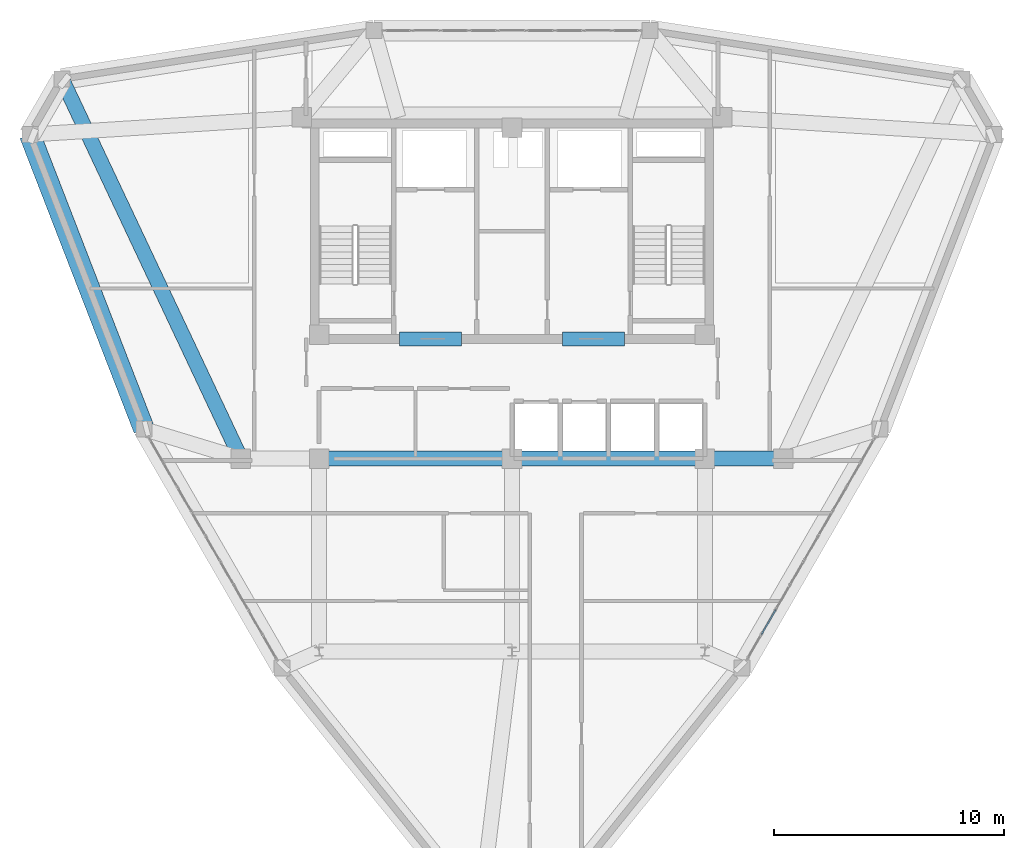
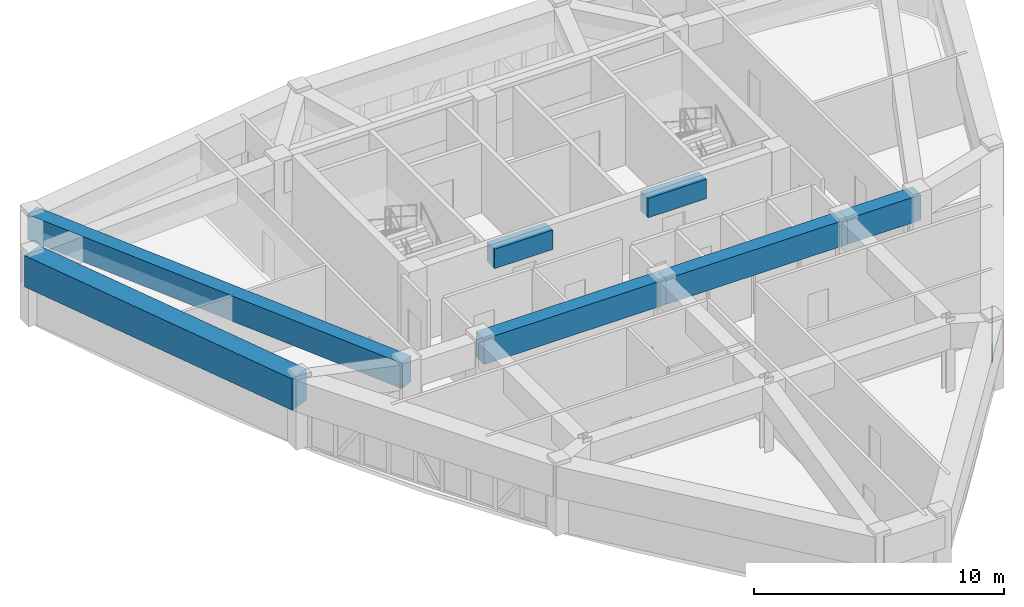
# One storey, part 6 of 15: 7 beams, 3 members, 1 element without a shape of its own.
"""IFC4 building model written with IfcOpenShell, lengths in metres."""

import ifcopenshell
import ifcopenshell.guid

model = None  # the IFC model being written
_history = None  # IfcOwnerHistory: only IFC2X3 demands one
_inside = {}  # id of a spatial element -> (the spatial element, [elements in it])
_under = {}  # id of a project, library or spatial element -> (it, [spatial elements below it])
_declared = {}  # id of a project -> (the project, [libraries it declares])
_typed = {}  # id of a type object -> (the type object, [elements of that type])
_made_of = {}  # id of a material, layer set ... -> (it, [elements and type objects made of it])


def new_model(schema):
    """Start an empty IFC model of exactly this schema.

    Asked for "IFC4X3", IfcOpenShell would pick the latest addendum, in which some entities
    have other attributes; the version numbers below select the first issue.
    IFC2X3 requires an IfcOwnerHistory on every rooted entity: one is made here for all.
    """
    global model, _history
    if schema == "IFC4X3":
        model = ifcopenshell.file(schema_version=(4, 3, 0, 0))
    else:
        model = ifcopenshell.file(schema=schema)
    _inside.clear()
    _under.clear()
    _declared.clear()
    _typed.clear()
    _made_of.clear()
    _history = None
    if model.schema == "IFC2X3":
        org = make("IfcOrganization", Name="unknown")
        user = make(
            "IfcPersonAndOrganization",
            ThePerson=make("IfcPerson", FamilyName="unknown"),
            TheOrganization=org,
        )
        app = make(
            "IfcApplication",
            ApplicationDeveloper=org,
            Version="unknown",
            ApplicationFullName="unknown",
            ApplicationIdentifier="unknown",
        )
        _history = make(
            "IfcOwnerHistory",
            OwningUser=user,
            OwningApplication=app,
            ChangeAction="ADDED",
            CreationDate=0,
        )
    return model


def make(cls, **values):
    """One entity of the class cls with the attributes given. An attribute that is None is left unset."""
    return model.create_entity(
        cls, **{name: value for name, value in values.items() if value is not None}
    )


def rooted(cls, **values):
    """An entity with a GlobalId (a new one), such as an element, a storey or a relation."""
    return make(cls, GlobalId=ifcopenshell.guid.new(), OwnerHistory=_history, **values)


def si_unit(unit_type, name, prefix=None):
    """IfcSIUnit, for example si_unit("LENGTHUNIT", "METRE", prefix="MILLI")."""
    return make("IfcSIUnit", UnitType=unit_type, Prefix=prefix, Name=name)


def derived_unit(unit_type, elements):
    """IfcDerivedUnit: a product of units, each with its exponent."""
    return make(
        "IfcDerivedUnit",
        Elements=[
            make("IfcDerivedUnitElement", Unit=unit, Exponent=power)
            for unit, power in elements
        ],
        UnitType=unit_type,
    )


def assignment(units):
    """IfcUnitAssignment: the units of a project."""
    return None if units is None else make("IfcUnitAssignment", Units=units)


def point(xyz):
    """IfcCartesianPoint."""
    return None if xyz is None else make("IfcCartesianPoint", Coordinates=xyz)


def direction(xyz):
    """IfcDirection."""
    return None if xyz is None else make("IfcDirection", DirectionRatios=xyz)


def frame(location, z_axis=None, x_axis=None):
    """IfcAxis2Placement3D, a coordinate frame: its origin and axes. An axis left out is left unset."""
    return make(
        "IfcAxis2Placement3D",
        Location=point(location),
        Axis=direction(z_axis),
        RefDirection=direction(x_axis),
    )


def frame_2d(location, x_axis=None):
    """IfcAxis2Placement2D, a coordinate frame in the plane: its origin and x axis."""
    return make(
        "IfcAxis2Placement2D", Location=point(location), RefDirection=direction(x_axis)
    )


def origin():
    """The frame at (0, 0, 0) with its axes left unset."""
    return frame((0.0, 0.0, 0.0))


def origin_2d():
    """The frame at (0, 0) in the plane with its x axis left unset."""
    return frame_2d((0.0, 0.0))


def place(relative_to, where):
    """IfcLocalPlacement: puts the frame where relative to a parent placement (None: the world)."""
    return make(
        "IfcLocalPlacement", PlacementRelTo=relative_to, RelativePlacement=where
    )


def context(
    kind, dimensions, precision=None, world=None, true_north=None, identifier=None
):
    """IfcGeometricRepresentationContext, for example the 3D "Model" context."""
    return make(
        "IfcGeometricRepresentationContext",
        ContextIdentifier=identifier,
        ContextType=kind,
        CoordinateSpaceDimension=dimensions,
        Precision=precision,
        WorldCoordinateSystem=world,
        TrueNorth=true_north,
    )


def subcontext(parent, identifier, kind, view, scale=None):
    """IfcGeometricRepresentationSubContext, for example "Body" below "Model"."""
    return make(
        "IfcGeometricRepresentationSubContext",
        ContextIdentifier=identifier,
        ContextType=kind,
        ParentContext=parent,
        TargetScale=scale,
        TargetView=view,
    )


def project(units=None, contexts=None):
    """IfcProject with its units and contexts."""
    return rooted(
        "IfcProject",
        Name="project",
        RepresentationContexts=contexts,
        UnitsInContext=assignment(units),
    )


def spatial(cls, under=None, at=None, **own):
    """A site, building, storey or space (cls), placed at a placement, below another one or the project."""
    s = rooted(cls, ObjectPlacement=at, **own)
    if under is not None:
        _under.setdefault(under.id(), (under, []))[1].append(s)
    return s


def profile(cls, at=None, kind="AREA", **sizes):
    """A parametric profile (cls). Its sizes go by their IFC names, for example OverallWidth=200.0."""
    return make(cls, ProfileType=kind, Position=at, **sizes)


def rectangle(**sizes):
    """IfcRectangleProfileDef."""
    return profile("IfcRectangleProfileDef", **sizes)


def hollow_rectangle(**sizes):
    """IfcRectangleHollowProfileDef."""
    return profile("IfcRectangleHollowProfileDef", **sizes)


def extrude(swept, where, along, depth):
    """IfcExtrudedAreaSolid: the profile swept, set in the frame where, extruded along a direction by depth."""
    return make(
        "IfcExtrudedAreaSolid",
        SweptArea=swept,
        Position=where,
        ExtrudedDirection=direction(along),
        Depth=depth,
    )


def shape(context_of_items, identifier, shape_type, items):
    """IfcShapeRepresentation: the items that make up one representation, for example the "Body"."""
    return make(
        "IfcShapeRepresentation",
        ContextOfItems=context_of_items,
        RepresentationIdentifier=identifier,
        RepresentationType=shape_type,
        Items=items,
    )


def source(mapping_origin, context_of_items, identifier, shape_type, items):
    """IfcRepresentationMap: a shape defined once, which mapped items show again and again."""
    return make(
        "IfcRepresentationMap",
        MappingOrigin=mapping_origin,
        MappedRepresentation=shape(context_of_items, identifier, shape_type, items),
    )


def transform(
    local_origin,
    x_axis=None,
    y_axis=None,
    z_axis=None,
    scale=None,
    scale2=None,
    scale3=None,
    uniform=True,
):
    """IfcCartesianTransformationOperator3D, or its non-uniform kind. x_axis, y_axis, z_axis: its Axis1, 2, 3."""
    if uniform:
        return make(
            "IfcCartesianTransformationOperator3D",
            Axis1=direction(x_axis),
            Axis2=direction(y_axis),
            LocalOrigin=point(local_origin),
            Scale=scale,
            Axis3=direction(z_axis),
        )
    return make(
        "IfcCartesianTransformationOperator3DnonUniform",
        Axis1=direction(x_axis),
        Axis2=direction(y_axis),
        LocalOrigin=point(local_origin),
        Scale=scale,
        Axis3=direction(z_axis),
        Scale2=scale2,
        Scale3=scale3,
    )


def mapped(mapping_source, mapping_target):
    """IfcMappedItem: shows the shape of a source again, moved by a transform."""
    return make(
        "IfcMappedItem", MappingSource=mapping_source, MappingTarget=mapping_target
    )


def material(Name=None, Category=None):
    """IfcMaterial."""
    return make("IfcMaterial", Name=Name, Category=Category)


def layer(
    of_material, thickness, ventilated=None, Name=None, Category=None, Priority=None
):
    """IfcMaterialLayer: one layer of a wall or slab, of a material (None: an air gap)."""
    return make(
        "IfcMaterialLayer",
        Material=of_material,
        LayerThickness=thickness,
        IsVentilated=ventilated,
        Name=Name,
        Category=Category,
        Priority=Priority,
    )


def layer_set(layers, Name=None):
    """IfcMaterialLayerSet."""
    return make("IfcMaterialLayerSet", MaterialLayers=layers, LayerSetName=Name)


def material_profile(
    of_material, cross_section, Name=None, Category=None, Priority=None
):
    """IfcMaterialProfile: a cross section and its material."""
    return make(
        "IfcMaterialProfile",
        Name=Name,
        Material=of_material,
        Profile=cross_section,
        Priority=Priority,
        Category=Category,
    )


def profile_set(profiles, Name=None, composite=None):
    """IfcMaterialProfileSet."""
    return make(
        "IfcMaterialProfileSet",
        Name=Name,
        MaterialProfiles=profiles,
        CompositeProfile=composite,
    )


def made_of(thing, what):
    """Note that an element or type object is made of a material, layer set ...; save() writes the relation."""
    if what is not None:
        _made_of.setdefault(what.id(), (what, []))[1].append(thing)
    return thing


def type_object(cls, material=None, **own):
    """A type object (cls), such as IfcWallType, which elements share."""
    return made_of(rooted(cls, **own), material)


def element(
    cls,
    number,
    at=None,
    inside=None,
    cuts=None,
    type_object=None,
    material=None,
    context=None,
    identifier="Body",
    shape_type=None,
    held_by="IfcProductDefinitionShape",
    body=None,
    shapes=None,
    **own,
):
    """One element of the class cls, such as IfcWall. Its Tag is "e" and its number.

    at: its placement. inside: the storey or other place that contains it. cuts: it is an
    opening in that element (IfcRelVoidsElement). A single representation is given by context,
    identifier, shape_type and body (its items); several are given by shapes. held_by: the class
    of the entity that holds the representations. save() writes the other relations.
    """
    e = rooted(cls, Tag="e%d" % number, ObjectPlacement=at, **own)
    if body is not None:
        shapes = [shape(context, identifier, shape_type, body)]
    if shapes is not None:
        e.Representation = make(held_by, Representations=shapes)
    if inside is not None:
        _inside.setdefault(inside.id(), (inside, []))[1].append(e)
    if cuts is not None:
        rooted(
            "IfcRelVoidsElement", RelatingBuildingElement=cuts, RelatedOpeningElement=e
        )
    if type_object is not None:
        _typed.setdefault(type_object.id(), (type_object, []))[1].append(e)
    return made_of(e, material)


def aggregate(whole, parts):
    """IfcRelAggregates: a whole, such as a stair, and the parts it consists of."""
    return rooted("IfcRelAggregates", RelatingObject=whole, RelatedObjects=parts)


def save(model, path):
    """Write the relations noted so far, then the file.

    IfcRelAggregates (storeys below a building ...), IfcRelContainedInSpatialStructure (elements
    in a storey), IfcRelDefinesByType, IfcRelAssociatesMaterial and IfcRelDeclares: one each for
    every whole, place, type object, material and project.
    """
    for whole, parts in _under.values():
        aggregate(whole, parts)
    for where, things in _inside.values():
        rooted(
            "IfcRelContainedInSpatialStructure",
            RelatedElements=things,
            RelatingStructure=where,
        )
    for kind, things in _typed.values():
        rooted("IfcRelDefinesByType", RelatedObjects=things, RelatingType=kind)
    for what, things in _made_of.values():
        rooted("IfcRelAssociatesMaterial", RelatedObjects=things, RelatingMaterial=what)
    for by, libraries in _declared.values():
        rooted("IfcRelDeclares", RelatingContext=by, RelatedDefinitions=libraries)
    model.write(path)


model = new_model("IFC4")

# Units and contexts
model_context = context("Model", 3, precision=1e-05, world=origin(), true_north=direction((0.0, 1.0)))
body_context = subcontext(model_context, "Body", "Model", "MODEL_VIEW")
ifc_project = project(units=[si_unit("LENGTHUNIT", "METRE"), si_unit("AREAUNIT", "SQUARE_METRE"), si_unit("VOLUMEUNIT", "CUBIC_METRE"), si_unit("PLANEANGLEUNIT", "RADIAN"), si_unit("MASSUNIT", "GRAM", prefix="KILO"), derived_unit("THERMALTRANSMITTANCEUNIT", [(si_unit("POWERUNIT", "WATT"), 1), (si_unit("LENGTHUNIT", "METRE"), -2), (si_unit("THERMODYNAMICTEMPERATUREUNIT", "KELVIN"), -1)])], contexts=[model_context])

# Site, building, storey
site_placement = place(None, origin())
site = spatial("IfcSite", under=ifc_project, at=site_placement, CompositionType="ELEMENT")
building_placement = place(site_placement, origin())
building = spatial("IfcBuilding", under=site, at=building_placement, Name="Korsvarv Bourse and Concert Hall", CompositionType="ELEMENT")
storey_placement = place(building_placement, frame((0.0, 0.0, 250.199951171875)))
storey = spatial("IfcBuildingStorey", under=building, at=storey_placement, Name="L65", CompositionType="ELEMENT", Elevation=250.199951171875)

# Beams
ifc_material_1 = material(Name="Concrete C55/67", Category="concrete")
ifc_material_profile_1 = material_profile(ifc_material_1, rectangle(XDim=0.60009765625, YDim=0.949951171875, at=origin_2d()), Name="RC-BM 600x950")
ifc_profile_set_1 = profile_set([ifc_material_profile_1], Name="Concrete C55/67")
beam_type_1 = type_object("IfcBeamType", Name="BM-CPL", PredefinedType="LINTEL", material=ifc_profile_set_1)
shared_shape_1 = source(origin(), body_context, "Body", "SweptSolid", [
    extrude(rectangle(XDim=0.60009765625, YDim=0.949951171875, at=origin_2d()), origin(), (0.0, 0.0, 1.0), 2.699951171875),
])
for number, where, z_axis, x_axis, name in (
    (1, (31.10009765625, 37.610107421875, 2.93505859375), (1.0, 0.0, 0.0), (0.0, 1.0, 0.0), "L65 Core Coupling Beam West"),
    (2, (38.199951171875, 37.610107421875, 2.93505859375), (1.0, 0.0, 0.0), (0.0, 1.0, 0.0), "L65 Core Coupling Beam East"),
):
    element("IfcBeam", number, at=place(storey_placement, frame(where, z_axis=z_axis, x_axis=x_axis)), inside=storey, type_object=beam_type_1, Name=name, PredefinedType="LINTEL", context=body_context, shape_type="MappedRepresentation", body=[
        mapped(shared_shape_1, transform((0.0, 0.0, 0.0), scale=1.0)),
    ])
ifc_material_2 = material(Name="Concrete C50/60", Category="concrete")
ifc_material_profile_2 = material_profile(ifc_material_2, rectangle(XDim=0.64990234375, YDim=1.239990234375, at=origin_2d()), Name="RC-BM 650x1240")
ifc_profile_set_2 = profile_set([ifc_material_profile_2], Name="Concrete C50/60")
beam_type_2 = type_object("IfcBeamType", Name="BM-TR-SPN", PredefinedType="BEAM", material=ifc_profile_set_2)
shared_shape_2 = source(origin(), body_context, "Body", "SweptSolid", [
    extrude(rectangle(XDim=0.64990234375, YDim=1.239990234375, at=origin_2d()), origin(), (0.0, 0.0, 1.0), 3.400146484375),
])
beam_1_placement = place(storey_placement, frame((44.39990234375, 32.39990234375, 2.7900390625), z_axis=(1.0, 0.0, 0.0), x_axis=(0.0, 1.0, 0.0)))
element("IfcBeam", 3, at=beam_1_placement, inside=storey, type_object=beam_type_2, Name="L65 beam B-TRS", PredefinedType="BEAM", context=body_context, shape_type="MappedRepresentation", body=[
    mapped(shared_shape_2, transform((0.0, 0.0, 0.0), scale=1.0)),
])
shared_shape_3 = source(origin(), body_context, "Body", "SweptSolid", [
    extrude(rectangle(XDim=0.64990234375, YDim=1.239990234375, at=origin_2d()), origin(), (0.0, 0.0, 1.0), 8.39990234375),
])
for number, where, z_axis, x_axis, name in (
    (4, (27.60009765625, 32.39990234375, 2.7900390625), (1.0, 0.0, 0.0), (0.0, 1.0, 0.0), "L65 beam B-TRS"),
    (5, (36.0, 32.39990234375, 2.7900390625), (1.0, 0.0, 0.0), (0.0, 1.0, 0.0), "L65 beam B-TRS"),
):
    element("IfcBeam", number, at=place(storey_placement, frame(where, z_axis=z_axis, x_axis=x_axis)), inside=storey, type_object=beam_type_2, Name=name, PredefinedType="BEAM", context=body_context, shape_type="MappedRepresentation", body=[
        mapped(shared_shape_3, transform((0.0, 0.0, 0.0), scale=1.0)),
    ])
ifc_material_profile_3 = material_profile(ifc_material_2, rectangle(XDim=0.919921875, YDim=1.530029296875, at=origin_2d()), Name="RC-BM 920x1530")
ifc_profile_set_3 = profile_set([ifc_material_profile_3], Name="Concrete C50/60")
beam_type_3 = type_object("IfcBeamType", Name="BM-TR-154", PredefinedType="BEAM", material=ifc_profile_set_3)
shared_shape_4 = source(origin(), body_context, "Body", "SweptSolid", [
    extrude(rectangle(XDim=0.919921875, YDim=1.530029296875, at=origin_2d()), origin(), (0.0, 0.0, 1.0), 13.74853515625),
])
beam_2_placement = place(storey_placement, frame((15.01220703125, 46.503662109375, 2.64501953125), z_axis=(0.361259117053, -0.932465468715, 0.0), x_axis=(0.932465468715, 0.361259117053, 0.0)))
element("IfcBeam", 6, at=beam_2_placement, inside=storey, type_object=beam_type_3, Name="L65 beam B-TR6", PredefinedType="BEAM", context=body_context, shape_type="MappedRepresentation", body=[
    mapped(shared_shape_4, transform((0.0, 0.0, 0.0), scale=1.0)),
])
shared_shape_5 = source(origin(), body_context, "Body", "SweptSolid", [
    extrude(rectangle(XDim=0.64990234375, YDim=1.239990234375, at=origin_2d()), origin(), (0.0, 0.0, 1.0), 18.2685546875),
])
beam_3_placement = place(storey_placement, frame((16.40966796875, 48.924072265625, 2.7900390625), z_axis=(0.426433445871, -0.904518941893, 0.0), x_axis=(0.904518941893, 0.426433445871, 0.0)))
element("IfcBeam", 7, at=beam_3_placement, inside=storey, type_object=beam_type_2, Name="L65 beam B-TRS", PredefinedType="BEAM", context=body_context, shape_type="MappedRepresentation", body=[
    mapped(shared_shape_5, transform((0.0, 0.0, 0.0), scale=1.0)),
])

# Curtain wall, members
ifc_material_3 = material(Name="Anodised aluminium and triple low-E glazing", Category="glass")
ifc_layer = layer(ifc_material_3, 0.199951171875)
ifc_layer_set = layer_set([ifc_layer], Name="Anodised aluminium and triple low-E glazing")
curtain_wall_type = type_object("IfcCurtainWallType", Name="CW-SYS-3", PredefinedType="NOTDEFINED", material=ifc_layer_set)
curtain_wall_placement = place(storey_placement, origin())
curtain_wall = element("IfcCurtainWall", 8, at=curtain_wall_placement, inside=storey, type_object=curtain_wall_type, Name="L65 CW3 curtain wall CW-L65-F11", PredefinedType="NOTDEFINED")
ifc_material_4 = material(Name="Extruded aluminium EN AW-6063 T66", Category="aluminium")
ifc_material_profile_4 = material_profile(ifc_material_4, hollow_rectangle(XDim=0.06494140625, YDim=0.139892578125, WallThickness=0.00390625, at=origin_2d()), Name="ALU-T 65x140")
ifc_profile_set_4 = profile_set([ifc_material_profile_4], Name="Extruded aluminium EN AW-6063 T66")
member_type_1 = type_object("IfcMemberType", Name="CWT-140", PredefinedType="USERDEFINED", material=ifc_profile_set_4)
shared_shape_6 = source(origin(), body_context, "Body", "SweptSolid", [
    extrude(hollow_rectangle(XDim=0.06494140625, YDim=0.139892578125, WallThickness=0.00390625, at=origin_2d()), origin(), (0.0, 0.0, 1.0), 1.16162109375),
])
member_1_placement = place(storey_placement, frame((46.880859375, 24.78076171875, 0.032470703125), z_axis=(0.500049955442, 0.865996560076, 0.0), x_axis=(-0.865996560076, 0.500049955442, 0.0)))
member_1 = element("IfcMember", 9, at=member_1_placement, type_object=member_type_1, Name="CW3 transom 2.1", ObjectType="TRANSOM", PredefinedType="USERDEFINED", context=body_context, shape_type="MappedRepresentation", body=[
    mapped(shared_shape_6, transform((0.0, 0.0, 0.0), scale=1.0)),
])
member_2_placement = place(storey_placement, frame((46.880859375, 24.78076171875, 1.84765625), z_axis=(0.500049955442, 0.865996560076, 0.0), x_axis=(-0.865996560076, 0.500049955442, 0.0)))
member_2 = element("IfcMember", 10, at=member_2_placement, type_object=member_type_1, Name="CW3 transom 2.2", ObjectType="TRANSOM", PredefinedType="USERDEFINED", context=body_context, shape_type="MappedRepresentation", body=[
    mapped(shared_shape_6, transform((0.0, 0.0, 0.0), scale=1.0)),
])
ifc_material_profile_5 = material_profile(ifc_material_4, hollow_rectangle(XDim=0.06494140625, YDim=0.1650390625, WallThickness=0.0048828125, at=origin_2d()), Name="ALU-M 65x165")
ifc_profile_set_5 = profile_set([ifc_material_profile_5], Name="Extruded aluminium EN AW-6063 T66")
member_type_2 = type_object("IfcMemberType", Name="CWM-165", PredefinedType="MULLION", material=ifc_profile_set_5)
shared_shape_7 = source(origin(), body_context, "Body", "SweptSolid", [
    extrude(hollow_rectangle(XDim=0.06494140625, YDim=0.1650390625, WallThickness=0.0048828125, at=origin_2d()), origin(), (0.0, 0.0, 1.0), 2.100341796875),
])
member_3_placement = place(storey_placement, frame((46.880859375, 24.78076171875, 0.06494140625), z_axis=(0.276526480814, 0.478894115575, 0.833182771951), x_axis=(-0.865996560076, 0.500049955442, 0.0)))
member_3 = element("IfcMember", 11, at=member_3_placement, type_object=member_type_2, Name="CW3 diagonal mullion 2", PredefinedType="MULLION", context=body_context, shape_type="MappedRepresentation", body=[
    mapped(shared_shape_7, transform((0.0, 0.0, 0.0), scale=1.0)),
])
aggregate(curtain_wall, [member_1, member_2, member_3])

save(model, "model.ifc")
